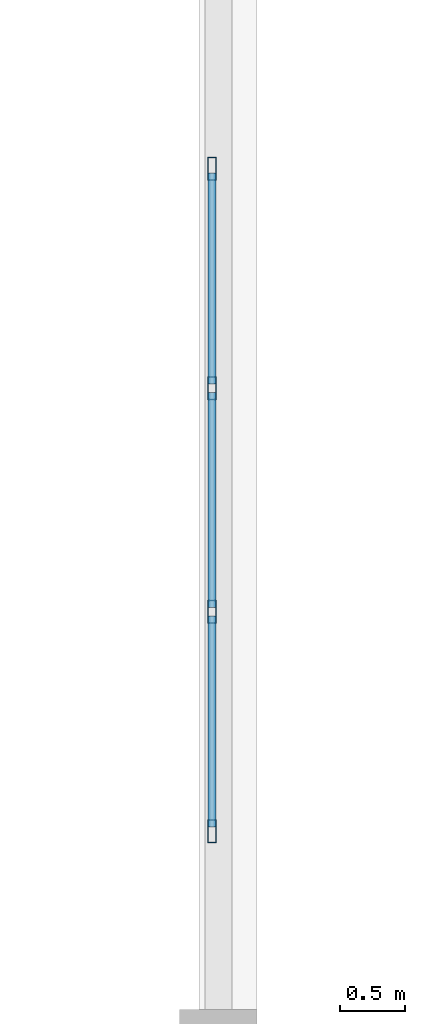
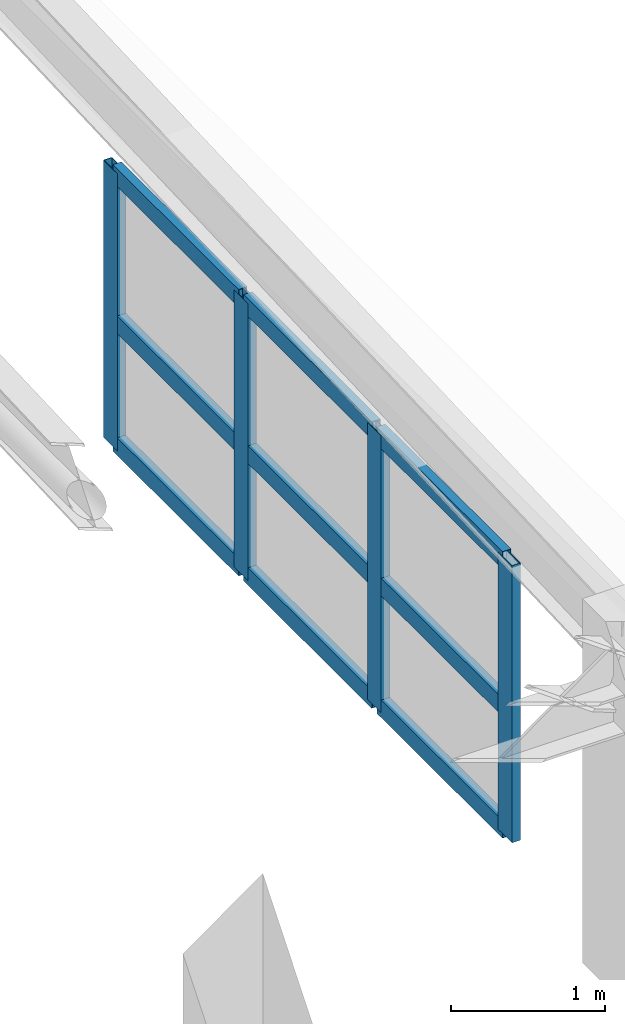
# One storey, part 27 of 128: 13 members, 1 element without a shape of its own.
"""IFC4 building model written with IfcOpenShell, lengths in metres."""

from ifc_helpers import new_model, si_unit, direction, frame, origin, origin_2d, place, context, subcontext, project, spatial, hollow_rectangle, extrude, material, layer, layer_set, material_profile, profile_set, type_object, element, aggregate, save


model = new_model("IFC4")

# Units and contexts
model_context = context("Model", 3, precision=1e-05, world=origin(), true_north=direction((0.0, 1.0)))
body_context = subcontext(model_context, "Body", "Model", "MODEL_VIEW")
ifc_project = project(units=[si_unit("LENGTHUNIT", "METRE"), si_unit("AREAUNIT", "SQUARE_METRE"), si_unit("VOLUMEUNIT", "CUBIC_METRE"), si_unit("PLANEANGLEUNIT", "RADIAN"), si_unit("MASSUNIT", "GRAM", prefix="KILO")], contexts=[model_context])

# Site, building, storey
site_placement = place(None, origin())
site = spatial("IfcSite", under=ifc_project, at=site_placement, CompositionType="ELEMENT")
building_placement = place(site_placement, origin())
building = spatial("IfcBuilding", under=site, at=building_placement, Name="Keldmere Railside Commons", CompositionType="ELEMENT")
storey_placement = place(building_placement, frame((0.0, 0.0, 4.159912109375)))
storey = spatial("IfcBuildingStorey", under=building, at=storey_placement, Name="L01", CompositionType="ELEMENT", Elevation=4.159912109375)

# Curtain wall, members
ifc_material = material(Name="Thermally Broken Aluminium", Category="aluminium")
ifc_layer = layer(ifc_material, 0.159912109375, Name="Community Hall Side Clerestory CW 5200x2200")
ifc_layer_set = layer_set([ifc_layer], Name="Thermally Broken Aluminium")
curtain_wall_type = type_object("IfcCurtainWallType", Name="Community Hall Side Clerestory CW 5200x2200", PredefinedType="NOTDEFINED", material=ifc_layer_set)
curtain_wall_placement = place(storey_placement, origin())
curtain_wall = element("IfcCurtainWall", 1, at=curtain_wall_placement, inside=storey, type_object=curtain_wall_type, Name="CW-06 CW-L01-204", PredefinedType="NOTDEFINED")
ifc_material_profile_1 = material_profile(ifc_material, hollow_rectangle(XDim=0.06494140625, YDim=0.179931640625, WallThickness=0.00390625, at=origin_2d()), Name="ALU-MULL-65x180")
ifc_profile_set_1 = profile_set([ifc_material_profile_1], Name="Thermally Broken Aluminium")
member_type_1 = type_object("IfcMemberType", Name="Civic Tall Curtain Wall Mullion 65x180", PredefinedType="MULLION", material=ifc_profile_set_1)
member_1_placement = place(storey_placement, frame((105.949951171875, 19.367431640625, 0.090087890625), z_axis=(0.0, 0.0, 1.0), x_axis=(1.0, 0.0, 0.0)))
member_1 = element("IfcMember", 2, at=member_1_placement, type_object=member_type_1, Name="CW-06 mullion 1", PredefinedType="MULLION", context=body_context, shape_type="SweptSolid", body=[
    extrude(hollow_rectangle(XDim=0.06494140625, YDim=0.179931640625, WallThickness=0.00390625, at=origin_2d()), origin(), (0.0, 0.0, 1.0), 2.199951171875),
])
member_2_placement = place(storey_placement, frame((105.949951171875, 17.666748046875, 0.090087890625), z_axis=(0.0, 0.0, 1.0), x_axis=(1.0, 0.0, 0.0)))
member_2 = element("IfcMember", 3, at=member_2_placement, type_object=member_type_1, Name="CW-06 mullion 2", PredefinedType="MULLION", context=body_context, shape_type="SweptSolid", body=[
    extrude(hollow_rectangle(XDim=0.06494140625, YDim=0.179931640625, WallThickness=0.00390625, at=origin_2d()), origin(), (0.0, 0.0, 1.0), 2.199951171875),
])
member_3_placement = place(storey_placement, frame((105.949951171875, 15.933349609375, 0.090087890625), z_axis=(0.0, 0.0, 1.0), x_axis=(1.0, 0.0, 0.0)))
member_3 = element("IfcMember", 4, at=member_3_placement, type_object=member_type_1, Name="CW-06 mullion 3", PredefinedType="MULLION", context=body_context, shape_type="SweptSolid", body=[
    extrude(hollow_rectangle(XDim=0.06494140625, YDim=0.179931640625, WallThickness=0.00390625, at=origin_2d()), origin(), (0.0, 0.0, 1.0), 2.199951171875),
])
member_4_placement = place(storey_placement, frame((105.949951171875, 14.232421875, 0.090087890625), z_axis=(0.0, 0.0, 1.0), x_axis=(1.0, 0.0, 0.0)))
member_4 = element("IfcMember", 5, at=member_4_placement, type_object=member_type_1, Name="CW-06 mullion 4", PredefinedType="MULLION", context=body_context, shape_type="SweptSolid", body=[
    extrude(hollow_rectangle(XDim=0.06494140625, YDim=0.179931640625, WallThickness=0.00390625, at=origin_2d()), origin(), (0.0, 0.0, 1.0), 2.199951171875),
])
ifc_material_profile_2 = material_profile(ifc_material, hollow_rectangle(XDim=0.06494140625, YDim=0.139892578125, WallThickness=0.00390625, at=origin_2d()), Name="ALU-TRAN-65x140")
ifc_profile_set_2 = profile_set([ifc_material_profile_2], Name="Thermally Broken Aluminium")
member_type_2 = type_object("IfcMemberType", Name="Civic Tall Curtain Wall Transom 65x140", PredefinedType="USERDEFINED", material=ifc_profile_set_2)
member_5_placement = place(storey_placement, frame((105.949951171875, 19.3349609375, 0.12255859375), z_axis=(0.0, -1.0, 0.0), x_axis=(1.0, 0.0, 0.0)))
member_5 = element("IfcMember", 6, at=member_5_placement, type_object=member_type_2, Name="CW-06 transom 1.1", ObjectType="TRANSOM", PredefinedType="USERDEFINED", context=body_context, shape_type="SweptSolid", body=[
    extrude(hollow_rectangle(XDim=0.06494140625, YDim=0.139892578125, WallThickness=0.00390625, at=origin_2d()), origin(), (0.0, 0.0, 1.0), 1.6357421875),
])
member_6_placement = place(storey_placement, frame((105.949951171875, 19.3349609375, 1.090087890625), z_axis=(0.0, -1.0, 0.0), x_axis=(1.0, 0.0, 0.0)))
member_6 = element("IfcMember", 7, at=member_6_placement, type_object=member_type_2, Name="CW-06 transom 1.2", ObjectType="TRANSOM", PredefinedType="USERDEFINED", context=body_context, shape_type="SweptSolid", body=[
    extrude(hollow_rectangle(XDim=0.06494140625, YDim=0.139892578125, WallThickness=0.00390625, at=origin_2d()), origin(), (0.0, 0.0, 1.0), 1.6357421875),
])
member_7_placement = place(storey_placement, frame((105.949951171875, 19.3349609375, 2.257568359375), z_axis=(0.0, -1.0, 0.0), x_axis=(1.0, 0.0, 0.0)))
member_7 = element("IfcMember", 8, at=member_7_placement, type_object=member_type_2, Name="CW-06 transom 1.3", ObjectType="TRANSOM", PredefinedType="USERDEFINED", context=body_context, shape_type="SweptSolid", body=[
    extrude(hollow_rectangle(XDim=0.06494140625, YDim=0.139892578125, WallThickness=0.00390625, at=origin_2d()), origin(), (0.0, 0.0, 1.0), 1.6357421875),
])
member_8_placement = place(storey_placement, frame((105.949951171875, 17.63427734375, 0.12255859375), z_axis=(0.0, -1.0, 0.0), x_axis=(1.0, 0.0, 0.0)))
member_8 = element("IfcMember", 9, at=member_8_placement, type_object=member_type_2, Name="CW-06 transom 2.1", ObjectType="TRANSOM", PredefinedType="USERDEFINED", context=body_context, shape_type="SweptSolid", body=[
    extrude(hollow_rectangle(XDim=0.06494140625, YDim=0.139892578125, WallThickness=0.00390625, at=origin_2d()), origin(), (0.0, 0.0, 1.0), 1.66845703125),
])
member_9_placement = place(storey_placement, frame((105.949951171875, 17.63427734375, 1.090087890625), z_axis=(0.0, -1.0, 0.0), x_axis=(1.0, 0.0, 0.0)))
member_9 = element("IfcMember", 10, at=member_9_placement, type_object=member_type_2, Name="CW-06 transom 2.2", ObjectType="TRANSOM", PredefinedType="USERDEFINED", context=body_context, shape_type="SweptSolid", body=[
    extrude(hollow_rectangle(XDim=0.06494140625, YDim=0.139892578125, WallThickness=0.00390625, at=origin_2d()), origin(), (0.0, 0.0, 1.0), 1.66845703125),
])
member_10_placement = place(storey_placement, frame((105.949951171875, 17.63427734375, 2.257568359375), z_axis=(0.0, -1.0, 0.0), x_axis=(1.0, 0.0, 0.0)))
member_10 = element("IfcMember", 11, at=member_10_placement, type_object=member_type_2, Name="CW-06 transom 2.3", ObjectType="TRANSOM", PredefinedType="USERDEFINED", context=body_context, shape_type="SweptSolid", body=[
    extrude(hollow_rectangle(XDim=0.06494140625, YDim=0.139892578125, WallThickness=0.00390625, at=origin_2d()), origin(), (0.0, 0.0, 1.0), 1.66845703125),
])
member_11_placement = place(storey_placement, frame((105.949951171875, 15.90087890625, 0.12255859375), z_axis=(0.0, -1.0, 0.0), x_axis=(1.0, 0.0, 0.0)))
member_11 = element("IfcMember", 12, at=member_11_placement, type_object=member_type_2, Name="CW-06 transom 3.1", ObjectType="TRANSOM", PredefinedType="USERDEFINED", context=body_context, shape_type="SweptSolid", body=[
    extrude(hollow_rectangle(XDim=0.06494140625, YDim=0.139892578125, WallThickness=0.00390625, at=origin_2d()), origin(), (0.0, 0.0, 1.0), 1.635986328125),
])
member_12_placement = place(storey_placement, frame((105.949951171875, 15.90087890625, 1.090087890625), z_axis=(0.0, -1.0, 0.0), x_axis=(1.0, 0.0, 0.0)))
member_12 = element("IfcMember", 13, at=member_12_placement, type_object=member_type_2, Name="CW-06 transom 3.2", ObjectType="TRANSOM", PredefinedType="USERDEFINED", context=body_context, shape_type="SweptSolid", body=[
    extrude(hollow_rectangle(XDim=0.06494140625, YDim=0.139892578125, WallThickness=0.00390625, at=origin_2d()), origin(), (0.0, 0.0, 1.0), 1.635986328125),
])
member_13_placement = place(storey_placement, frame((105.949951171875, 15.90087890625, 2.257568359375), z_axis=(0.0, -1.0, 0.0), x_axis=(1.0, 0.0, 0.0)))
member_13 = element("IfcMember", 14, at=member_13_placement, type_object=member_type_2, Name="CW-06 transom 3.3", ObjectType="TRANSOM", PredefinedType="USERDEFINED", context=body_context, shape_type="SweptSolid", body=[
    extrude(hollow_rectangle(XDim=0.06494140625, YDim=0.139892578125, WallThickness=0.00390625, at=origin_2d()), origin(), (0.0, 0.0, 1.0), 1.635986328125),
])
aggregate(curtain_wall, [member_1, member_2, member_3, member_4, member_5, member_6, member_7, member_8, member_9, member_10, member_11, member_12, member_13])

save(model, "model.ifc")
